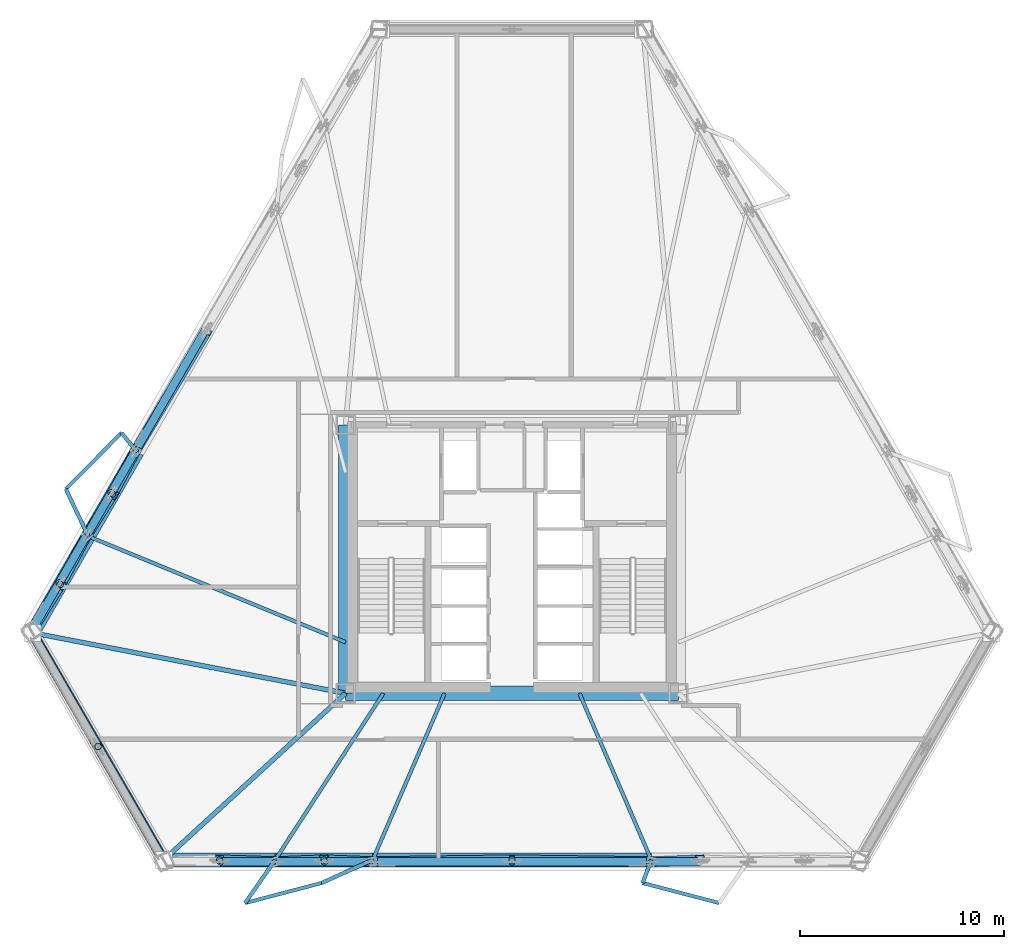
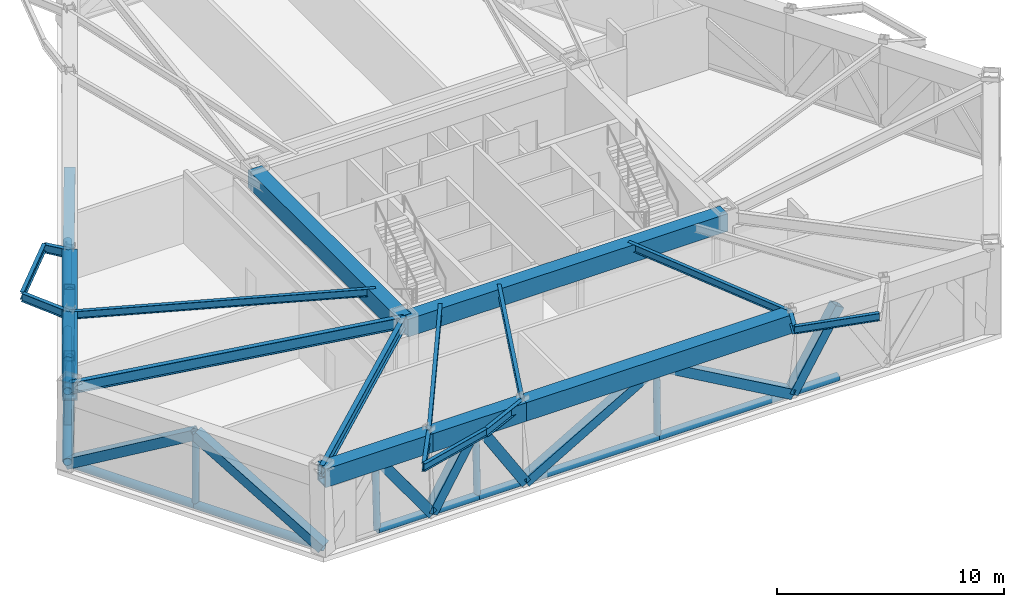
# One storey, part 2 of 11: 32 members, 21 beams.
"""IFC4 building model written with IfcOpenShell, lengths in metres."""

from ifc_helpers import new_model, si_unit, direction, frame, origin, origin_2d, place, context, subcontext, project, spatial, rectangle, hollow_rectangle, hollow_circle, i_section, extrude, material, material_profile, profile_set, type_object, element, save


model = new_model("IFC4")

# Units and contexts
model_context = context("Model", 3, precision=1e-05, world=origin(), true_north=direction((0.0, 1.0)))
body_context = subcontext(model_context, "Body", "Model", "MODEL_VIEW")
ifc_project = project(units=[si_unit("LENGTHUNIT", "METRE"), si_unit("AREAUNIT", "SQUARE_METRE"), si_unit("VOLUMEUNIT", "CUBIC_METRE"), si_unit("PLANEANGLEUNIT", "RADIAN"), si_unit("MASSUNIT", "GRAM", prefix="KILO")], contexts=[model_context])

# Site, building, storey
site_placement = place(None, origin())
site = spatial("IfcSite", under=ifc_project, at=site_placement, CompositionType="ELEMENT")
building_placement = place(site_placement, origin())
building = spatial("IfcBuilding", under=site, at=building_placement, Name="Oramaril Tower", CompositionType="ELEMENT")
storey_placement = place(building_placement, frame((0.0, 0.0, 77.699951171875)))
storey = spatial("IfcBuildingStorey", under=building, at=storey_placement, Name="L20", CompositionType="ELEMENT", Elevation=77.699951171875)

# Beams
ifc_material_1 = material(Name="Steel ASTM A572 Gr 50", Category="steel")
ifc_material_profile_1 = material_profile(ifc_material_1, i_section(OverallWidth=0.19091796875, OverallDepth=0.45703125, WebThickness=0.009033203125, FlangeThickness=0.014404296875, at=origin_2d()), Name="W18X50")
ifc_profile_set_1 = profile_set([ifc_material_profile_1], Name="Steel ASTM A572 Gr 50")
beam_type_1 = type_object("IfcBeamType", Name="BT-BB1", PredefinedType="BEAM", material=ifc_profile_set_1)
beam_1_placement = place(storey_placement, frame((25.903076171875, 2.839111328125, 4.33154296875), z_axis=(-0.572007717896, -0.820248237223, 0.0), x_axis=(0.820248237223, -0.572007717896, 0.0)))
element("IfcBeam", 1, at=beam_1_placement, inside=storey, type_object=beam_type_1, Name="L20 Balcony Column-Framed Cantilever 01.1", PredefinedType="BEAM", context=body_context, shape_type="SweptSolid", body=[
    extrude(i_section(OverallWidth=0.19091796875, OverallDepth=0.45703125, WebThickness=0.009033203125, FlangeThickness=0.014404296875, at=origin_2d()), origin(), (0.0, 0.0, 1.0), 2.56982421875),
])
beam_2_placement = place(storey_placement, frame((30.67822265625, 2.839111328125, 4.33154296875), z_axis=(-0.911581525638, -0.41111935264, 0.0), x_axis=(0.41111935264, -0.911581525638, 0.0)))
element("IfcBeam", 2, at=beam_2_placement, inside=storey, type_object=beam_type_1, Name="L20 Balcony Column-Framed Cantilever 01.2", PredefinedType="BEAM", context=body_context, shape_type="SweptSolid", body=[
    extrude(i_section(OverallWidth=0.19091796875, OverallDepth=0.45703125, WebThickness=0.009033203125, FlangeThickness=0.014404296875, at=origin_2d()), origin(), (0.0, 0.0, 1.0), 2.74365234375),
])
for number, where, z_axis, x_axis, name in (
    (3, (44.32177734375, 2.839111328125, 4.33154296875), (-0.351922626876, -0.936029093935, 0.0), (0.936029093935, -0.351922626876, 0.0), "L20 Balcony Column-Framed Cantilever 02.1"),
    (4, (19.14111328125, 22.822509765625, 4.33154296875), (-0.63486901285, 0.772619787815, 0.0), (-0.772619787815, -0.63486901285, 0.0), "L20 Balcony Column-Framed Cantilever 06.1"),
):
    element("IfcBeam", number, at=place(storey_placement, frame(where, z_axis=z_axis, x_axis=x_axis)), inside=storey, type_object=beam_type_1, Name=name, PredefinedType="BEAM", context=body_context, shape_type="SweptSolid", body=[
        extrude(i_section(OverallWidth=0.19091796875, OverallDepth=0.45703125, WebThickness=0.009033203125, FlangeThickness=0.014404296875, at=origin_2d()), origin(), (0.0, 0.0, 1.0), 1.205078125),
    ])
beam_3_placement = place(storey_placement, frame((16.75341796875, 18.687255859375, 4.33154296875), z_axis=(-0.428741815138, 0.903427061778, 0.0), x_axis=(-0.903427061778, -0.428741815138, 0.0)))
element("IfcBeam", 5, at=beam_3_placement, inside=storey, type_object=beam_type_1, Name="L20 Balcony Column-Framed Cantilever 06.2", PredefinedType="BEAM", context=body_context, shape_type="SweptSolid", body=[
    extrude(i_section(OverallWidth=0.19091796875, OverallDepth=0.45703125, WebThickness=0.009033203125, FlangeThickness=0.014404296875, at=origin_2d()), origin(), (0.0, 0.0, 1.0), 2.561279296875),
])
ifc_material_2 = material(Name="Steel ASTM A572 Gr 50", Category="steel")
ifc_material_profile_2 = material_profile(ifc_material_2, hollow_rectangle(XDim=0.699951171875, YDim=1.0, WallThickness=0.06494140625, at=origin_2d()), Name="BOX1000X700X65")
ifc_profile_set_2 = profile_set([ifc_material_profile_2], Name="Steel ASTM A572 Gr 50")
beam_type_2 = type_object("IfcBeamType", Name="BT-BT1", PredefinedType="BEAM", material=ifc_profile_set_2)
beam_4_placement = place(storey_placement, frame((20.44580078125, 2.839111328125, 4.06005859375), z_axis=(1.0, 0.0, 0.0), x_axis=(0.0, 1.0, 0.0)))
element("IfcBeam", 6, at=beam_4_placement, inside=storey, type_object=beam_type_2, Name="L20 Perimeter Spandrel 02", PredefinedType="BEAM", context=body_context, shape_type="SweptSolid", body=[
    extrude(hollow_rectangle(XDim=0.699951171875, YDim=1.0, WallThickness=0.06494140625, at=origin_2d()), origin(), (0.0, 0.0, 1.0), 5.457275390625),
])
beam_5_placement = place(storey_placement, frame((25.903076171875, 2.839111328125, 4.06005859375), z_axis=(1.0, 0.0, 0.0), x_axis=(0.0, 1.0, 0.0)))
element("IfcBeam", 7, at=beam_5_placement, inside=storey, type_object=beam_type_2, Name="L20 Perimeter Spandrel 03", PredefinedType="BEAM", context=body_context, shape_type="SweptSolid", body=[
    extrude(hollow_rectangle(XDim=0.699951171875, YDim=1.0, WallThickness=0.06494140625, at=origin_2d()), origin(), (0.0, 0.0, 1.0), 4.775146484375),
])
beam_6_placement = place(storey_placement, frame((30.67822265625, 2.839111328125, 4.06005859375), z_axis=(1.0, 0.0, 0.0), x_axis=(0.0, 1.0, 0.0)))
element("IfcBeam", 8, at=beam_6_placement, inside=storey, type_object=beam_type_2, Name="L20 Perimeter Spandrel 04", PredefinedType="BEAM", context=body_context, shape_type="SweptSolid", body=[
    extrude(hollow_rectangle(XDim=0.699951171875, YDim=1.0, WallThickness=0.06494140625, at=origin_2d()), origin(), (0.0, 0.0, 1.0), 13.6435546875),
])
beam_7_placement = place(storey_placement, frame((19.14111328125, 22.822509765625, 4.06005859375), z_axis=(-0.500032254052, -0.866006781098, 0.0), x_axis=(0.866006781098, -0.500032254052, 0.0)))
element("IfcBeam", 9, at=beam_7_placement, inside=storey, type_object=beam_type_2, Name="L20 Perimeter Spandrel 17", PredefinedType="BEAM", context=body_context, shape_type="SweptSolid", body=[
    extrude(hollow_rectangle(XDim=0.699951171875, YDim=1.0, WallThickness=0.06494140625, at=origin_2d()), origin(), (0.0, 0.0, 1.0), 4.775146484375),
])
beam_8_placement = place(storey_placement, frame((16.75341796875, 18.687255859375, 4.06005859375), z_axis=(-0.500002554546, -0.866023928912, 0.0), x_axis=(0.866023928912, -0.500002554546, 0.0)))
element("IfcBeam", 10, at=beam_8_placement, inside=storey, type_object=beam_type_2, Name="L20 Perimeter Spandrel 18", PredefinedType="BEAM", context=body_context, shape_type="SweptSolid", body=[
    extrude(hollow_rectangle(XDim=0.699951171875, YDim=1.0, WallThickness=0.06494140625, at=origin_2d()), origin(), (0.0, 0.0, 1.0), 5.45751953125),
])
ifc_material_3 = material(Name="Concrete C50/60", Category="concrete")
ifc_material_profile_3 = material_profile(ifc_material_3, rectangle(XDim=0.699951171875, YDim=0.949951171875, at=origin_2d()), Name="CB700X950")
ifc_profile_set_3 = profile_set([ifc_material_profile_3], Name="Concrete C50/60")
beam_type_3 = type_object("IfcBeamType", Name="BT-CB1", PredefinedType="BEAM", material=ifc_profile_set_3)
beam_9_placement = place(storey_placement, frame((29.35009765625, 11.0, 4.0849609375), z_axis=(1.0, 0.0, 0.0), x_axis=(0.0, 1.0, 0.0)))
element("IfcBeam", 11, at=beam_9_placement, inside=storey, type_object=beam_type_3, Name="L20 Core Header Beam CB-1", PredefinedType="BEAM", context=body_context, shape_type="SweptSolid", body=[
    extrude(rectangle(XDim=0.699951171875, YDim=0.949951171875, at=origin_2d()), origin(), (0.0, 0.0, 1.0), 16.2998046875),
])
beam_10_placement = place(storey_placement, frame((29.35009765625, 24.14990234375, 4.0849609375), z_axis=(0.0, -1.0, 0.0), x_axis=(1.0, 0.0, 0.0)))
element("IfcBeam", 12, at=beam_10_placement, inside=storey, type_object=beam_type_3, Name="L20 Core Header Beam CB-4", PredefinedType="BEAM", context=body_context, shape_type="SweptSolid", body=[
    extrude(rectangle(XDim=0.699951171875, YDim=0.949951171875, at=origin_2d()), origin(), (0.0, 0.0, 1.0), 13.14990234375),
])
ifc_material_4 = material(Name="Steel ASTM A572 Gr 50", Category="steel")
ifc_material_profile_4 = material_profile(ifc_material_4, i_section(OverallWidth=0.22900390625, OverallDepth=0.612060546875, WebThickness=0.011962890625, FlangeThickness=0.01953125, at=origin_2d()), Name="W24X84")
ifc_profile_set_4 = profile_set([ifc_material_profile_4], Name="Steel ASTM A572 Gr 50")
beam_type_4 = type_object("IfcBeamType", Name="BT-FB1", PredefinedType="BEAM", material=ifc_profile_set_4)
beam_11_placement = place(storey_placement, frame((29.35009765625, 11.0, 4.254150390625), z_axis=(-0.981842863202, 0.189696051565, 0.0), x_axis=(-0.189696051565, -0.981842863202, 0.0)))
element("IfcBeam", 13, at=beam_11_placement, inside=storey, type_object=beam_type_4, Name="L20 Radial Primary Beam RB-01", PredefinedType="BEAM", context=body_context, shape_type="SweptSolid", body=[
    extrude(i_section(OverallWidth=0.22900390625, OverallDepth=0.612060546875, WebThickness=0.011962890625, FlangeThickness=0.01953125, at=origin_2d()), origin(), (0.0, 0.0, 1.0), 15.60888671875),
])
beam_12_placement = place(storey_placement, frame((29.35009765625, 11.0, 4.254150390625), z_axis=(-0.737211191831, -0.6756623851, 0.0), x_axis=(0.6756623851, -0.737211191831, 0.0)))
element("IfcBeam", 14, at=beam_12_placement, inside=storey, type_object=beam_type_4, Name="L20 Radial Primary Beam RB-02", PredefinedType="BEAM", context=body_context, shape_type="SweptSolid", body=[
    extrude(i_section(OverallWidth=0.22900390625, OverallDepth=0.612060546875, WebThickness=0.011962890625, FlangeThickness=0.01953125, at=origin_2d()), origin(), (0.0, 0.0, 1.0), 12.078369140625),
])
ifc_material_5 = material(Name="Steel ASTM A572 Gr 50", Category="steel")
ifc_material_profile_5 = material_profile(ifc_material_5, i_section(OverallWidth=0.177978515625, OverallDepth=0.404052734375, WebThickness=0.007568359375, FlangeThickness=0.010986328125, at=origin_2d()), Name="W16X36")
ifc_profile_set_5 = profile_set([ifc_material_profile_5], Name="Steel ASTM A572 Gr 50")
beam_type_5 = type_object("IfcBeamType", Name="BT-SB1", PredefinedType="BEAM", material=ifc_profile_set_5)
beam_13_placement = place(storey_placement, frame((31.199951171875, 11.0, 4.358154296875), z_axis=(-0.544431672054, -0.838805194586, 0.0), x_axis=(0.838805194586, -0.544431672054, 0.0)))
element("IfcBeam", 15, at=beam_13_placement, inside=storey, type_object=beam_type_5, Name="L20 Secondary Floor Beam SB-01", PredefinedType="BEAM", context=body_context, shape_type="SweptSolid", body=[
    extrude(i_section(OverallWidth=0.177978515625, OverallDepth=0.404052734375, WebThickness=0.007568359375, FlangeThickness=0.010986328125, at=origin_2d()), origin(), (0.0, 0.0, 1.0), 9.729248046875),
])
for number, where, z_axis, x_axis, name in (
    (16, (34.199951171875, 11.0, 4.358154296875), (-0.396218704615, -0.91815616216, 0.0), (0.91815616216, -0.396218704615, 0.0), "L20 Secondary Floor Beam SB-02"),
    (17, (40.800048828125, 11.0, 4.358154296875), (0.396218704615, -0.91815616216, 0.0), (0.91815616216, 0.396218704615, 0.0), "L20 Secondary Floor Beam SB-03"),
):
    element("IfcBeam", number, at=place(storey_placement, frame(where, z_axis=z_axis, x_axis=x_axis)), inside=storey, type_object=beam_type_5, Name=name, PredefinedType="BEAM", context=body_context, shape_type="SweptSolid", body=[
        extrude(i_section(OverallWidth=0.177978515625, OverallDepth=0.404052734375, WebThickness=0.007568359375, FlangeThickness=0.010986328125, at=origin_2d()), origin(), (0.0, 0.0, 1.0), 8.888427734375),
    ])
beam_14_placement = place(storey_placement, frame((29.35009765625, 13.5, 4.358154296875), z_axis=(-0.924668077065, 0.380774142054, 0.0), x_axis=(-0.380774142054, -0.924668077065, 0.0)))
element("IfcBeam", 18, at=beam_14_placement, inside=storey, type_object=beam_type_5, Name="L20 Secondary Floor Beam SB-10", PredefinedType="BEAM", context=body_context, shape_type="SweptSolid", body=[
    extrude(i_section(OverallWidth=0.177978515625, OverallDepth=0.404052734375, WebThickness=0.007568359375, FlangeThickness=0.010986328125, at=origin_2d()), origin(), (0.0, 0.0, 1.0), 13.622802734375),
])
for number, where, z_axis, x_axis, name in (
    (19, (24.43310546875, 0.731201171875, 4.358154296875), (0.967411967632, 0.253207592467, 0.0), (-0.253207592467, 0.967411967632, 0.0), "L20 Balcony Edge Tie Beam 01"),
    (20, (43.897705078125, 1.711181640625, 4.358154296875), (0.967411967632, -0.253207592467, 0.0), (0.253207592467, 0.967411967632, 0.0), "L20 Balcony Edge Tie Beam 02"),
):
    element("IfcBeam", number, at=place(storey_placement, frame(where, z_axis=z_axis, x_axis=x_axis)), inside=storey, type_object=beam_type_5, Name=name, PredefinedType="BEAM", context=body_context, shape_type="SweptSolid", body=[
        extrude(i_section(OverallWidth=0.177978515625, OverallDepth=0.404052734375, WebThickness=0.007568359375, FlangeThickness=0.010986328125, at=origin_2d()), origin(), (0.0, 0.0, 1.0), 3.870361328125),
    ])
beam_15_placement = place(storey_placement, frame((18.3759765625, 23.753662109375, 4.358154296875), z_axis=(-0.702994511648, -0.71119527318, 0.0), x_axis=(0.71119527318, -0.702994511648, 0.0)))
element("IfcBeam", 21, at=beam_15_placement, inside=storey, type_object=beam_type_5, Name="L20 Balcony Edge Tie Beam 06", PredefinedType="BEAM", context=body_context, shape_type="SweptSolid", body=[
    extrude(i_section(OverallWidth=0.177978515625, OverallDepth=0.404052734375, WebThickness=0.007568359375, FlangeThickness=0.010986328125, at=origin_2d()), origin(), (0.0, 0.0, 1.0), 3.8701171875),
])

# Members
ifc_material_6 = material(Name="Steel ASTM A572 Gr 50", Category="steel")
ifc_material_profile_6 = material_profile(ifc_material_6, hollow_circle(Radius=0.202880859375, WallThickness=0.01611328125, at=origin_2d()), Name="CHS406X16")
ifc_profile_set_6 = profile_set([ifc_material_profile_6], Name="Steel ASTM A572 Gr 50")
member_type_1 = type_object("IfcMemberType", Name="MT-CH1", PredefinedType="CHORD", material=ifc_profile_set_6)
member_1_placement = place(storey_placement, frame((13.96630859375, 14.043701171875, 0.2099609375), z_axis=(0.500000042739, -0.866025379109, 0.0), x_axis=(0.866025379109, 0.500000042739, 0.0)))
element("IfcMember", 22, at=member_1_placement, inside=storey, type_object=member_type_1, Name="L20 Belt Truss Chord 01A", PredefinedType="CHORD", context=body_context, shape_type="SweptSolid", body=[
    extrude(hollow_circle(Radius=0.202880859375, WallThickness=0.01611328125, at=origin_2d()), origin(), (0.0, 0.0, 1.0), 6.52197265625),
])
member_2_placement = place(storey_placement, frame((17.227294921875, 8.3955078125, 0.2099609375), z_axis=(0.499971966783, -0.866041588165, 0.0), x_axis=(0.866041588165, 0.499971966783, 0.0)))
element("IfcMember", 23, at=member_2_placement, inside=storey, type_object=member_type_1, Name="L20 Belt Truss Chord 01B", PredefinedType="CHORD", context=body_context, shape_type="SweptSolid", body=[
    extrude(hollow_circle(Radius=0.202880859375, WallThickness=0.01611328125, at=origin_2d()), origin(), (0.0, 0.0, 1.0), 6.521728515625),
])
member_3_placement = place(storey_placement, frame((23.2099609375, 2.747314453125, 0.2099609375), z_axis=(1.0, 0.0, 0.0), x_axis=(0.0, 1.0, 0.0)))
element("IfcMember", 24, at=member_3_placement, inside=storey, type_object=member_type_1, Name="L20 Belt Truss Chord 02B", PredefinedType="CHORD", context=body_context, shape_type="SweptSolid", body=[
    extrude(hollow_circle(Radius=0.202880859375, WallThickness=0.01611328125, at=origin_2d()), origin(), (0.0, 0.0, 1.0), 2.721923828125),
])
member_4_placement = place(storey_placement, frame((25.931884765625, 2.747314453125, 0.2099609375), z_axis=(1.0, 0.0, 0.0), x_axis=(0.0, 1.0, 0.0)))
element("IfcMember", 25, at=member_4_placement, inside=storey, type_object=member_type_1, Name="L20 Belt Truss Chord 03A", PredefinedType="CHORD", context=body_context, shape_type="SweptSolid", body=[
    extrude(hollow_circle(Radius=0.202880859375, WallThickness=0.01611328125, at=origin_2d()), origin(), (0.0, 0.0, 1.0), 2.381591796875),
])
member_5_placement = place(storey_placement, frame((28.3134765625, 2.747314453125, 0.2099609375), z_axis=(1.0, 0.0, 0.0), x_axis=(0.0, 1.0, 0.0)))
element("IfcMember", 26, at=member_5_placement, inside=storey, type_object=member_type_1, Name="L20 Belt Truss Chord 03B", PredefinedType="CHORD", context=body_context, shape_type="SweptSolid", body=[
    extrude(hollow_circle(Radius=0.202880859375, WallThickness=0.01611328125, at=origin_2d()), origin(), (0.0, 0.0, 1.0), 2.3818359375),
])
for number, where, z_axis, x_axis, name in (
    (27, (30.6953125, 2.747314453125, 0.2099609375), (1.0, 0.0, 0.0), (0.0, 1.0, 0.0), "L20 Belt Truss Chord 04A"),
    (28, (37.5, 2.747314453125, 0.2099609375), (1.0, 0.0, 0.0), (0.0, 1.0, 0.0), "L20 Belt Truss Chord 04B"),
):
    element("IfcMember", number, at=place(storey_placement, frame(where, z_axis=z_axis, x_axis=x_axis)), inside=storey, type_object=member_type_1, Name=name, PredefinedType="CHORD", context=body_context, shape_type="SweptSolid", body=[
        extrude(hollow_circle(Radius=0.202880859375, WallThickness=0.01611328125, at=origin_2d()), origin(), (0.0, 0.0, 1.0), 6.8046875),
    ])
member_6_placement = place(storey_placement, frame((44.3046875, 2.747314453125, 0.2099609375), z_axis=(1.0, 0.0, 0.0), x_axis=(0.0, 1.0, 0.0)))
element("IfcMember", 29, at=member_6_placement, inside=storey, type_object=member_type_1, Name="L20 Belt Truss Chord 05A", PredefinedType="CHORD", context=body_context, shape_type="SweptSolid", body=[
    extrude(hollow_circle(Radius=0.202880859375, WallThickness=0.01611328125, at=origin_2d()), origin(), (0.0, 0.0, 1.0), 2.3818359375),
])
member_7_placement = place(storey_placement, frame((22.47216796875, 28.7763671875, 0.2099609375), z_axis=(-0.500024733807, -0.866011123243, 0.0), x_axis=(0.866011123243, -0.500024733807, 0.0)))
element("IfcMember", 30, at=member_7_placement, inside=storey, type_object=member_type_1, Name="L20 Belt Truss Chord 16B", PredefinedType="CHORD", context=body_context, shape_type="SweptSolid", body=[
    extrude(hollow_circle(Radius=0.202880859375, WallThickness=0.01611328125, at=origin_2d()), origin(), (0.0, 0.0, 1.0), 6.804931640625),
])
for number, where, z_axis, x_axis, name in (
    (31, (19.069580078125, 22.88330078125, 0.2099609375), (-0.499965010695, -0.866045603927, 0.0), (0.866045603927, -0.499965010695, 0.0), "L20 Belt Truss Chord 17A"),
    (32, (17.87890625, 20.82080078125, 0.2099609375), (-0.500041894521, -0.86600121462, 0.0), (0.86600121462, -0.500041894521, 0.0), "L20 Belt Truss Chord 17B"),
):
    element("IfcMember", number, at=place(storey_placement, frame(where, z_axis=z_axis, x_axis=x_axis)), inside=storey, type_object=member_type_1, Name=name, PredefinedType="CHORD", context=body_context, shape_type="SweptSolid", body=[
        extrude(hollow_circle(Radius=0.202880859375, WallThickness=0.01611328125, at=origin_2d()), origin(), (0.0, 0.0, 1.0), 2.381591796875),
    ])
member_8_placement = place(storey_placement, frame((16.68798828125, 18.75830078125, 0.2099609375), z_axis=(-0.499939847306, -0.866060130173, 0.0), x_axis=(0.866060130173, -0.499939847306, 0.0)))
element("IfcMember", 33, at=member_8_placement, inside=storey, type_object=member_type_1, Name="L20 Belt Truss Chord 18A", PredefinedType="CHORD", context=body_context, shape_type="SweptSolid", body=[
    extrude(hollow_circle(Radius=0.202880859375, WallThickness=0.01611328125, at=origin_2d()), origin(), (0.0, 0.0, 1.0), 2.721923828125),
])
member_9_placement = place(storey_placement, frame((15.3271484375, 16.40087890625, 0.2099609375), z_axis=(-0.499978684219, -0.866037710107, 0.0), x_axis=(0.866037710107, -0.499978684219, 0.0)))
element("IfcMember", 34, at=member_9_placement, inside=storey, type_object=member_type_1, Name="L20 Belt Truss Chord 18B", PredefinedType="CHORD", context=body_context, shape_type="SweptSolid", body=[
    extrude(hollow_circle(Radius=0.202880859375, WallThickness=0.01611328125, at=origin_2d()), origin(), (0.0, 0.0, 1.0), 2.7216796875),
])
ifc_material_7 = material(Name="Steel ASTM A572 Gr 50", Category="steel")
ifc_material_profile_7 = material_profile(ifc_material_7, hollow_circle(Radius=0.162109375, WallThickness=0.011962890625, at=origin_2d()), Name="CHS324X12")
ifc_profile_set_7 = profile_set([ifc_material_profile_7], Name="Steel ASTM A572 Gr 50")
member_type_2 = type_object("IfcMemberType", Name="MT-ST1", PredefinedType="STRUT", material=ifc_profile_set_7)
member_10_placement = place(storey_placement, frame((17.227294921875, 8.3955078125, 0.2099609375), z_axis=(0.002092574749, 0.001204815765, 0.999997084771), x_axis=(-0.498964444867, 0.866622456874, 0.0)))
element("IfcMember", 35, at=member_10_placement, inside=storey, type_object=member_type_2, Name="L20 Belt Truss Strut 01", PredefinedType="STRUT", context=body_context, shape_type="SweptSolid", body=[
    extrude(hollow_circle(Radius=0.162109375, WallThickness=0.011962890625, at=origin_2d()), origin(), (0.0, 0.0, 1.0), 3.85009765625),
])
for number, where, z_axis, x_axis, name in (
    (36, (23.2099609375, 2.747314453125, 0.2099609375), (-0.009191672755, 0.023834958317, 0.999673650705), (-0.933025461322, -0.359810350776, 0.0), "L20 Belt Truss Strut 02"),
    (37, (28.3134765625, 2.747314453125, 0.2099609375), (-0.005895495331, 0.023835551016, 0.999698509373), (-0.970746933242, -0.240104959552, 0.0), "L20 Belt Truss Strut 03"),
):
    element("IfcMember", number, at=place(storey_placement, frame(where, z_axis=z_axis, x_axis=x_axis)), inside=storey, type_object=member_type_2, Name=name, PredefinedType="STRUT", context=body_context, shape_type="SweptSolid", body=[
        extrude(hollow_circle(Radius=0.162109375, WallThickness=0.011962890625, at=origin_2d()), origin(), (0.0, 0.0, 1.0), 3.851318359375),
    ])
member_11_placement = place(storey_placement, frame((37.5, 2.747314453125, 0.2099609375), z_axis=(0.0, 0.023835965251, 0.999715883019), x_axis=(-1.0, 0.0, 0.0)))
element("IfcMember", 38, at=member_11_placement, inside=storey, type_object=member_type_2, Name="L20 Belt Truss Strut 04", PredefinedType="STRUT", context=body_context, shape_type="SweptSolid", body=[
    extrude(hollow_circle(Radius=0.162109375, WallThickness=0.011962890625, at=origin_2d()), origin(), (0.0, 0.0, 1.0), 3.85107421875),
])
for number, where, z_axis, x_axis, name in (
    (39, (17.87890625, 20.82080078125, 0.2099609375), (0.017749832944, -0.017115910339, 0.999695948298), (0.694135570584, 0.719844295421, 0.0), "L20 Belt Truss Strut 17"),
    (40, (15.3271484375, 16.40087890625, 0.2099609375), (0.016037877613, -0.01990471767, 0.999673240962), (0.778686598176, 0.627413087065, 0.0), "L20 Belt Truss Strut 18"),
):
    element("IfcMember", number, at=place(storey_placement, frame(where, z_axis=z_axis, x_axis=x_axis)), inside=storey, type_object=member_type_2, Name=name, PredefinedType="STRUT", context=body_context, shape_type="SweptSolid", body=[
        extrude(hollow_circle(Radius=0.162109375, WallThickness=0.011962890625, at=origin_2d()), origin(), (0.0, 0.0, 1.0), 3.851318359375),
    ])
ifc_material_8 = material(Name="Steel ASTM A572 Gr 50", Category="steel")
ifc_material_profile_8 = material_profile(ifc_material_8, hollow_rectangle(XDim=0.5, YDim=0.5, WallThickness=0.02490234375, at=origin_2d()), Name="HSS500X500X25")
ifc_profile_set_8 = profile_set([ifc_material_profile_8], Name="Steel ASTM A572 Gr 50")
member_type_3 = type_object("IfcMemberType", Name="MT-TD1", PredefinedType="BRACE", material=ifc_profile_set_8)
member_12_placement = place(storey_placement, frame((13.96630859375, 14.043701171875, 0.2099609375), z_axis=(0.43163590047, -0.745160229669, 0.508356844691), x_axis=(0.865311787965, 0.501233986886, 0.0)))
element("IfcMember", 41, at=member_12_placement, inside=storey, type_object=member_type_3, Name="L20 Truss Diagonal 01A", PredefinedType="BRACE", context=body_context, shape_type="SweptSolid", body=[
    extrude(hollow_rectangle(XDim=0.5, YDim=0.5, WallThickness=0.02490234375, at=origin_2d()), origin(), (0.0, 0.0, 1.0), 7.57373046875),
])
member_13_placement = place(storey_placement, frame((20.488037109375, 2.747314453125, 0.2099609375), z_axis=(-0.42948314081, 0.746397406164, 0.508365167799), x_axis=(-0.866753395379, -0.49873695632, 0.0)))
element("IfcMember", 42, at=member_13_placement, inside=storey, type_object=member_type_3, Name="L20 Truss Diagonal 01B", PredefinedType="BRACE", context=body_context, shape_type="SweptSolid", body=[
    extrude(hollow_rectangle(XDim=0.5, YDim=0.5, WallThickness=0.02490234375, at=origin_2d()), origin(), (0.0, 0.0, 1.0), 7.573486328125),
])
member_14_placement = place(storey_placement, frame((25.931884765625, 2.747314453125, 0.2099609375), z_axis=(-0.582142743432, 0.019380704049, 0.812855592698), x_axis=(-0.033273579044, -0.999446281167, 0.0)))
element("IfcMember", 43, at=member_14_placement, inside=storey, type_object=member_type_3, Name="L20 Truss Diagonal 02B", PredefinedType="BRACE", context=body_context, shape_type="SweptSolid", body=[
    extrude(hollow_rectangle(XDim=0.5, YDim=0.5, WallThickness=0.02490234375, at=origin_2d()), origin(), (0.0, 0.0, 1.0), 4.736572265625),
])
member_15_placement = place(storey_placement, frame((25.931884765625, 2.747314453125, 0.2099609375), z_axis=(0.522317185541, 0.020326150048, 0.852509006001), x_axis=(-0.038885905102, 0.999243657165, 0.0)))
element("IfcMember", 44, at=member_15_placement, inside=storey, type_object=member_type_3, Name="L20 Truss Diagonal 03A", PredefinedType="BRACE", context=body_context, shape_type="SweptSolid", body=[
    extrude(hollow_rectangle(XDim=0.5, YDim=0.5, WallThickness=0.02490234375, at=origin_2d()), origin(), (0.0, 0.0, 1.0), 4.51611328125),
])
member_16_placement = place(storey_placement, frame((30.6953125, 2.747314453125, 0.2099609375), z_axis=(-0.529610225259, 0.020218646025, 0.848000127154), x_axis=(-0.038148674988, -0.99927207436, 0.0)))
element("IfcMember", 45, at=member_16_placement, inside=storey, type_object=member_type_3, Name="L20 Truss Diagonal 03B", PredefinedType="BRACE", context=body_context, shape_type="SweptSolid", body=[
    extrude(hollow_rectangle(XDim=0.5, YDim=0.5, WallThickness=0.02490234375, at=origin_2d()), origin(), (0.0, 0.0, 1.0), 4.540283203125),
])
for number, where, z_axis, x_axis, name in (
    (46, (30.6953125, 2.747314453125, 0.2099609375), (0.870285257274, 0.011740357948, 0.492408097991), (-0.013489013748, 0.999909019115, 0.0), "L20 Truss Diagonal 04A"),
    (47, (44.3046875, 2.747314453125, 0.2099609375), (-0.870285257274, 0.011740357948, 0.492408097991), (-0.013489013748, -0.999909019115, 0.0), "L20 Truss Diagonal 04B"),
):
    element("IfcMember", number, at=place(storey_placement, frame(where, z_axis=z_axis, x_axis=x_axis)), inside=storey, type_object=member_type_3, Name=name, PredefinedType="BRACE", context=body_context, shape_type="SweptSolid", body=[
        extrude(hollow_rectangle(XDim=0.5, YDim=0.5, WallThickness=0.02490234375, at=origin_2d()), origin(), (0.0, 0.0, 1.0), 7.81884765625),
    ])
member_17_placement = place(storey_placement, frame((44.3046875, 2.747314453125, 0.2099609375), z_axis=(0.529610225259, 0.020218646025, 0.848000127154), x_axis=(-0.038148674988, 0.99927207436, 0.0)))
element("IfcMember", 48, at=member_17_placement, inside=storey, type_object=member_type_3, Name="L20 Truss Diagonal 05A", PredefinedType="BRACE", context=body_context, shape_type="SweptSolid", body=[
    extrude(hollow_rectangle(XDim=0.5, YDim=0.5, WallThickness=0.02490234375, at=origin_2d()), origin(), (0.0, 0.0, 1.0), 4.540283203125),
])
member_18_placement = place(storey_placement, frame((19.069580078125, 22.88330078125, 0.2099609375), z_axis=(0.445343026584, 0.747806596557, 0.492397078401), x_axis=(-0.859181743399, 0.511670530526, 0.0)))
element("IfcMember", 49, at=member_18_placement, inside=storey, type_object=member_type_3, Name="L20 Truss Diagonal 16B", PredefinedType="BRACE", context=body_context, shape_type="SweptSolid", body=[
    extrude(hollow_rectangle(XDim=0.5, YDim=0.5, WallThickness=0.02490234375, at=origin_2d()), origin(), (0.0, 0.0, 1.0), 7.819091796875),
])
member_19_placement = place(storey_placement, frame((19.069580078125, 22.88330078125, 0.2099609375), z_axis=(-0.247197403191, -0.468798555801, 0.84801023457), x_axis=(0.884559205884, -0.466427927214, 0.0)))
element("IfcMember", 50, at=member_19_placement, inside=storey, type_object=member_type_3, Name="L20 Truss Diagonal 17A", PredefinedType="BRACE", context=body_context, shape_type="SweptSolid", body=[
    extrude(hollow_rectangle(XDim=0.5, YDim=0.5, WallThickness=0.02490234375, at=origin_2d()), origin(), (0.0, 0.0, 1.0), 4.5400390625),
])
member_20_placement = place(storey_placement, frame((16.68798828125, 18.75830078125, 0.2099609375), z_axis=(0.278840326674, 0.442100851404, 0.852522673838), x_axis=(-0.845818067104, 0.533471458807, 0.0)))
element("IfcMember", 51, at=member_20_placement, inside=storey, type_object=member_type_3, Name="L20 Truss Diagonal 17B", PredefinedType="BRACE", context=body_context, shape_type="SweptSolid", body=[
    extrude(hollow_rectangle(XDim=0.5, YDim=0.5, WallThickness=0.02490234375, at=origin_2d()), origin(), (0.0, 0.0, 1.0), 4.51611328125),
])
member_21_placement = place(storey_placement, frame((16.68798828125, 18.75830078125, 0.2099609375), z_axis=(-0.274261284046, -0.513885548193, 0.812836017553), x_axis=(0.8822181839, -0.470840818108, 0.0)))
element("IfcMember", 52, at=member_21_placement, inside=storey, type_object=member_type_3, Name="L20 Truss Diagonal 18A", PredefinedType="BRACE", context=body_context, shape_type="SweptSolid", body=[
    extrude(hollow_rectangle(XDim=0.5, YDim=0.5, WallThickness=0.02490234375, at=origin_2d()), origin(), (0.0, 0.0, 1.0), 4.736572265625),
])
member_22_placement = place(storey_placement, frame((13.96630859375, 14.043701171875, 0.2099609375), z_axis=(0.302971795592, 0.48568037457, 0.819952843055), x_axis=(-0.848452147554, 0.529272097612, 0.0)))
element("IfcMember", 53, at=member_22_placement, inside=storey, type_object=member_type_3, Name="L20 Truss Diagonal 18B", PredefinedType="BRACE", context=body_context, shape_type="SweptSolid", body=[
    extrude(hollow_rectangle(XDim=0.5, YDim=0.5, WallThickness=0.02490234375, at=origin_2d()), origin(), (0.0, 0.0, 1.0), 4.695556640625),
])

save(model, "model.ifc")
